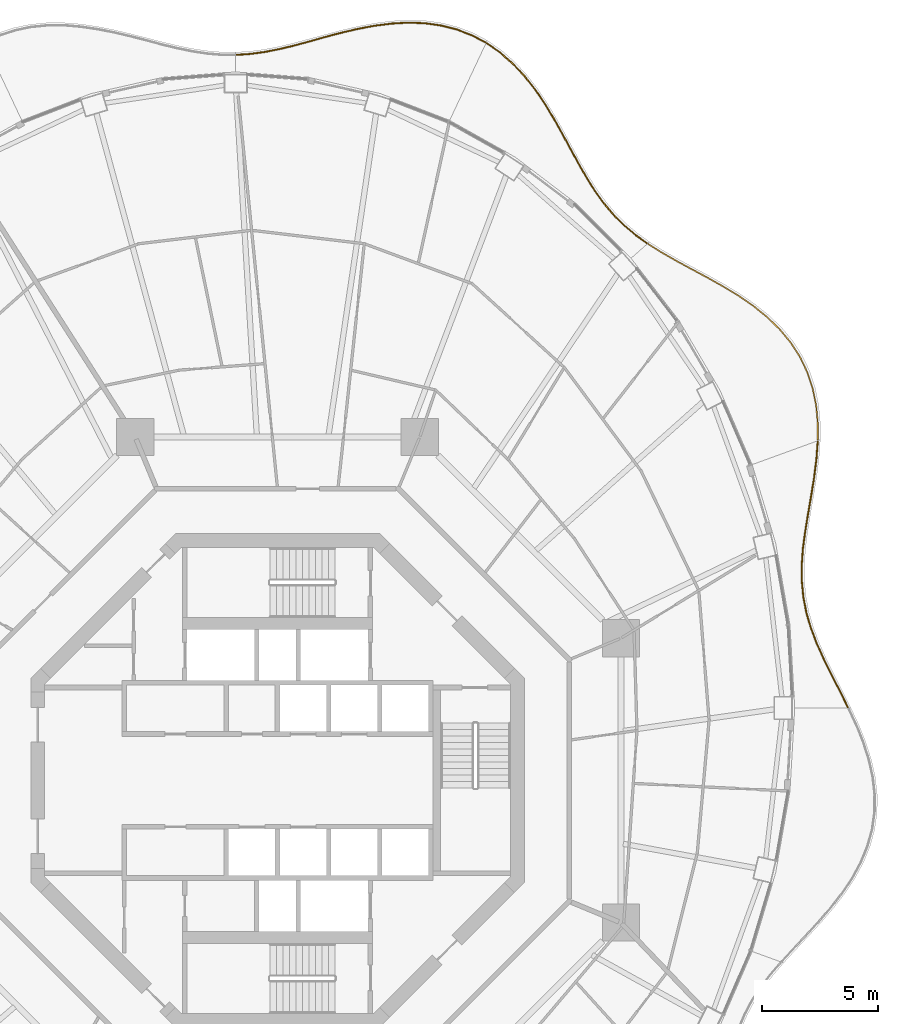
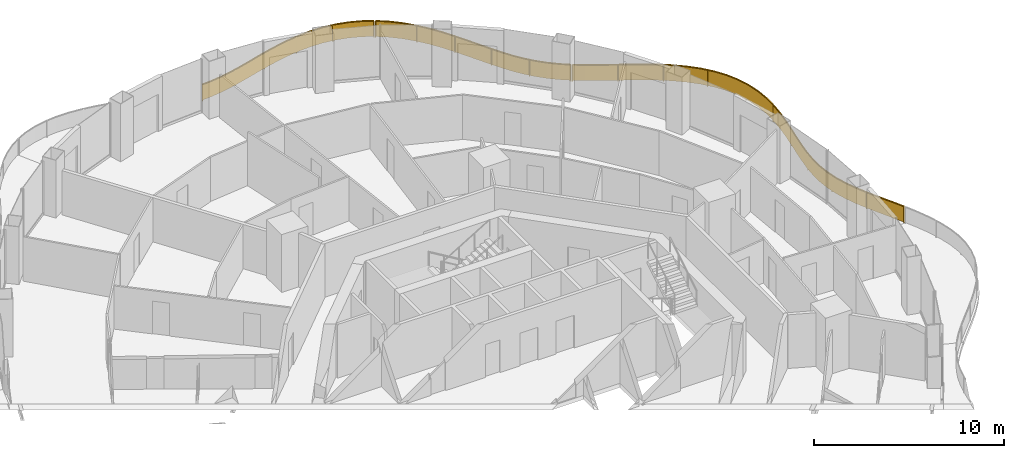
# One storey, part 18 of 18: 4 railings.
"""IFC4 building model written with IfcOpenShell, lengths in metres."""

from ifc_helpers import new_model, si_unit, direction, frame, origin, origin_2d, place, context, subcontext, project, spatial, polyline, rectangle, outline, extrude, material, type_object, element, save


model = new_model("IFC4")

# Units and contexts
model_context = context("Model", 3, precision=1e-05, world=origin(), true_north=direction((0.0, 1.0)))
body_context = subcontext(model_context, "Body", "Model", "MODEL_VIEW")
ifc_project = project(units=[si_unit("LENGTHUNIT", "METRE"), si_unit("AREAUNIT", "SQUARE_METRE"), si_unit("VOLUMEUNIT", "CUBIC_METRE"), si_unit("PLANEANGLEUNIT", "RADIAN"), si_unit("MASSUNIT", "GRAM", prefix="KILO")], contexts=[model_context])

# Site, building, storey
site_placement = place(None, origin())
site = spatial("IfcSite", under=ifc_project, at=site_placement, CompositionType="ELEMENT")
building_placement = place(site_placement, origin())
building = spatial("IfcBuilding", under=site, at=building_placement, Name="Nagisa Residences", CompositionType="ELEMENT")
storey_placement = place(building_placement, frame((0.0, 0.0, 223.300048828125)))
storey = spatial("IfcBuildingStorey", under=building, at=storey_placement, Name="L56", CompositionType="ELEMENT", Elevation=223.300048828125)

# Railings
ifc_material = material(Name="Stainless steel 316", Category="steel")
railing_type = type_object("IfcRailingType", Name="BALCONY GUARD 1100", PredefinedType="BALUSTRADE", material=ifc_material)
railing_1_placement = place(storey_placement, frame((24.560546875, 3.151611328125, 0.0)))
element("IfcRailing", 1, at=railing_1_placement, inside=storey, type_object=railing_type, Name="guard:L56:bal00-0", PredefinedType="BALUSTRADE", context=body_context, shape_type="SweptSolid", body=[
    extrude(outline(polyline([(-0.360595703125, 0.660888671875), (-0.0224609375, -0.01123046875), (0.0224609375, 0.01123046875), (-0.316162109375, 0.683349609375), (-0.672607421875, 1.381591796875), (-1.010986328125, 2.066650390625), (-1.314208984375, 2.741455078125), (-1.56884765625, 3.410400390625), (-1.762939453125, 4.064697265625), (-1.89453125, 4.738037109375), (-1.960693359375, 5.421142578125), (-1.96435546875, 6.119384765625), (-1.91357421875, 6.8359375), (-1.81640625, 7.55908203125), (-1.69384765625, 8.316162109375), (-1.56005859375, 9.091796875), (-1.43359375, 9.8818359375), (-1.3330078125, 10.680908203125), (-1.27734375, 11.43505859375), (-1.3271484375, 11.43896484375), (-1.3828125, 10.685791015625), (-1.48291015625, 9.88916015625), (-1.609375, 9.10009765625), (-1.7431640625, 8.324462890625), (-1.86572265625, 7.56640625), (-1.96337890625, 6.8408203125), (-2.0146484375, 6.120849609375), (-2.010498046875, 5.418701171875), (-1.9443359375, 4.730712890625), (-1.811767578125, 4.052978515625), (-1.6162109375, 3.394287109375), (-1.360595703125, 2.722412109375), (-1.056396484375, 2.045166015625), (-0.717529296875, 1.359130859375), (-0.360595703125, 0.660888671875)])), frame((0.0, 0.0, 1.050048828125)), (0.0, 0.0, 1.0), 0.050048828125),
    extrude(outline(polyline([(-0.3447265625, 0.6689453125), (-0.00634765625, -0.003173828125), (0.00634765625, 0.003173828125), (-0.33203125, 0.67529296875), (-0.688720703125, 1.37353515625), (-1.02734375, 2.058837890625), (-1.3310546875, 2.734619140625), (-1.5859375, 3.404541015625), (-1.780517578125, 4.060546875), (-1.91259765625, 4.7353515625), (-1.978515625, 5.420166015625), (-1.982421875, 6.119873046875), (-1.931396484375, 6.837646484375), (-1.834228515625, 7.561767578125), (-1.711669921875, 8.319091796875), (-1.577880859375, 9.0947265625), (-1.451416015625, 9.884521484375), (-1.350830078125, 10.6826171875), (-1.295166015625, 11.4365234375), (-1.309326171875, 11.4375), (-1.364990234375, 10.68408203125), (-1.465087890625, 9.886474609375), (-1.591552734375, 9.09716796875), (-1.725341796875, 8.321533203125), (-1.847900390625, 7.563720703125), (-1.945556640625, 6.839111328125), (-1.99658203125, 6.120361328125), (-1.99267578125, 5.419677734375), (-1.92626953125, 4.7333984375), (-1.794189453125, 4.05712890625), (-1.59912109375, 3.400146484375), (-1.34375, 2.729248046875), (-1.0400390625, 2.052978515625), (-0.701416015625, 1.3671875), (-0.3447265625, 0.6689453125)])), frame((0.0, 0.0, 0.06005859375)), (0.0, 0.0, 1.0), 0.989990234375),
    extrude(rectangle(XDim=0.0400390625, YDim=0.0400390625, at=origin_2d()), origin(), (0.0, 0.0, 1.0), 1.050048828125),
    extrude(rectangle(XDim=0.0400390625, YDim=0.0400390625, at=origin_2d()), frame((-1.06494140625, 2.125244140625, 0.0)), (0.0, 0.0, 1.0), 1.050048828125),
    extrude(rectangle(XDim=0.0400390625, YDim=0.0400390625, at=origin_2d()), frame((-1.846923828125, 4.36328125, 0.0)), (0.0, 0.0, 1.0), 1.050048828125),
    extrude(rectangle(XDim=0.0400390625, YDim=0.0400390625, at=origin_2d()), frame((-1.9462890625, 6.728759765625, 0.0)), (0.0, 0.0, 1.0), 1.050048828125),
    extrude(rectangle(XDim=0.0400390625, YDim=0.0400390625, at=origin_2d()), frame((-1.587646484375, 9.078369140625, 0.0)), (0.0, 0.0, 1.0), 1.050048828125),
    extrude(rectangle(XDim=0.0400390625, YDim=0.0400390625, at=origin_2d()), frame((-1.30224609375, 11.43701171875, 0.0)), (0.0, 0.0, 1.0), 1.050048828125),
])
railing_2_placement = place(storey_placement, frame((23.261962890625, 14.666015625, 0.0)))
element("IfcRailing", 2, at=railing_2_placement, inside=storey, type_object=railing_type, Name="guard:L56:bal01-0", PredefinedType="BALUSTRADE", context=body_context, shape_type="SweptSolid", body=[
    extrude(outline(polyline([(-0.02490234375, 0.720947265625), (-0.02490234375, 0.0), (0.02490234375, 0.0), (0.02490234375, 0.723388671875), (-0.045654296875, 1.47900390625), (-0.194580078125, 2.211669921875), (-0.426513671875, 2.91455078125), (-0.74365234375, 3.580322265625), (-1.137451171875, 4.19091796875), (-1.614501953125, 4.768798828125), (-2.15966796875, 5.300048828125), (-2.7607421875, 5.785888671875), (-3.40380859375, 6.23046875), (-4.06591796875, 6.627685546875), (-4.74755859375, 7.009765625), (-5.426025390625, 7.37451171875), (-6.088134765625, 7.732666015625), (-6.72216796875, 8.094970703125), (-7.2841796875, 8.44921875), (-7.31103515625, 8.40673828125), (-6.748046875, 8.052001953125), (-6.112548828125, 7.688720703125), (-5.449951171875, 7.33056640625), (-4.771484375, 6.9658203125), (-4.0908203125, 6.584228515625), (-3.43115234375, 6.1884765625), (-2.79052734375, 5.745849609375), (-2.19287109375, 5.262451171875), (-1.651611328125, 4.734619140625), (-1.177978515625, 4.1611328125), (-0.78759765625, 3.555908203125), (-0.472900390625, 2.89599609375), (-0.242919921875, 2.198974609375), (-0.095458984375, 1.4716796875), (-0.02490234375, 0.720947265625)])), frame((0.0, 0.0, 1.050048828125)), (0.0, 0.0, 1.0), 0.050048828125),
    extrude(outline(polyline([(-0.007080078125, 0.721923828125), (-0.007080078125, 0.0), (0.007080078125, 0.0), (0.007080078125, 0.722412109375), (-0.063720703125, 1.476318359375), (-0.2119140625, 2.20703125), (-0.443115234375, 2.907958984375), (-0.759521484375, 3.571533203125), (-1.152099609375, 4.18017578125), (-1.6279296875, 4.75634765625), (-2.171630859375, 5.286376953125), (-2.771484375, 5.771484375), (-3.41357421875, 6.21533203125), (-4.074951171875, 6.612060546875), (-4.756103515625, 6.993896484375), (-5.4345703125, 7.358642578125), (-6.096923828125, 7.716796875), (-6.7314453125, 8.07958984375), (-7.2939453125, 8.433837890625), (-7.30126953125, 8.422119140625), (-6.73876953125, 8.0673828125), (-6.103759765625, 7.70458984375), (-5.44140625, 7.346435546875), (-4.762939453125, 6.981689453125), (-4.081787109375, 6.599853515625), (-3.42138671875, 6.20361328125), (-2.77978515625, 5.76025390625), (-2.180908203125, 5.276123046875), (-1.63818359375, 4.7470703125), (-1.163330078125, 4.171875), (-0.771728515625, 3.564697265625), (-0.456298828125, 2.902587890625), (-0.2255859375, 2.20361328125), (-0.077392578125, 1.474365234375), (-0.007080078125, 0.721923828125)])), frame((0.0, 0.0, 0.06005859375)), (0.0, 0.0, 1.0), 0.989990234375),
    extrude(rectangle(XDim=0.0400390625, YDim=0.0400390625, at=origin_2d()), origin(), (0.0, 0.0, 1.0), 1.050048828125),
    extrude(rectangle(XDim=0.0400390625, YDim=0.0400390625, at=origin_2d()), frame((-0.2705078125, 2.362548828125, 0.0)), (0.0, 0.0, 1.0), 1.050048828125),
    extrude(rectangle(XDim=0.0400390625, YDim=0.0400390625, at=origin_2d()), frame((-1.386962890625, 4.45361328125, 0.0)), (0.0, 0.0, 1.0), 1.050048828125),
    extrude(rectangle(XDim=0.0400390625, YDim=0.0400390625, at=origin_2d()), frame((-3.164794921875, 6.03466796875, 0.0)), (0.0, 0.0, 1.0), 1.050048828125),
    extrude(rectangle(XDim=0.0400390625, YDim=0.0400390625, at=origin_2d()), frame((-5.2265625, 7.23876953125, 0.0)), (0.0, 0.0, 1.0), 1.050048828125),
    extrude(rectangle(XDim=0.0400390625, YDim=0.0400390625, at=origin_2d()), frame((-7.297607421875, 8.427978515625, 0.0)), (0.0, 0.0, 1.0), 1.050048828125),
])
railing_3_placement = place(storey_placement, frame((15.904052734375, 23.13232421875, 0.0)))
element("IfcRailing", 3, at=railing_3_placement, inside=storey, type_object=railing_type, Name="guard:L56:bal02-0", PredefinedType="BALUSTRADE", context=body_context, shape_type="SweptSolid", body=[
    extrude(outline(polyline([(-0.511962890625, 0.3388671875), (-0.0146484375, -0.020263671875), (0.0146484375, 0.020263671875), (-0.481201171875, 0.37841796875), (-0.970703125, 0.792236328125), (-1.42041015625, 1.2421875), (-1.833984375, 1.7314453125), (-2.217529296875, 2.260986328125), (-2.56591796875, 2.818603515625), (-2.9130859375, 3.421142578125), (-3.25634765625, 4.050537109375), (-3.6064453125, 4.697509765625), (-3.973388671875, 5.350341796875), (-4.353515625, 5.98828125), (-4.779541015625, 6.614013671875), (-5.24658203125, 7.2060546875), (-5.757568359375, 7.750732421875), (-6.313720703125, 8.23583984375), (-6.87451171875, 8.62451171875), (-6.90283203125, 8.58349609375), (-6.344482421875, 8.1962890625), (-5.792236328125, 7.714599609375), (-5.28466796875, 7.17333984375), (-4.820068359375, 6.584228515625), (-4.3955078125, 5.96142578125), (-4.016845703125, 5.325439453125), (-3.650390625, 4.673095703125), (-3.30029296875, 4.026611328125), (-2.95654296875, 3.396728515625), (-2.60888671875, 2.792724609375), (-2.259033203125, 2.233154296875), (-1.87353515625, 1.70068359375), (-1.45751953125, 1.20849609375), (-1.00439453125, 0.755615234375), (-0.511962890625, 0.3388671875)])), frame((0.0, 0.0, 1.050048828125)), (0.0, 0.0, 1.0), 0.050048828125),
    extrude(outline(polyline([(-0.5009765625, 0.35302734375), (-0.004150390625, -0.005615234375), (0.004150390625, 0.005615234375), (-0.4921875, 0.3642578125), (-0.98291015625, 0.779052734375), (-1.433837890625, 1.22998046875), (-1.84814453125, 1.720458984375), (-2.232421875, 2.2509765625), (-2.581298828125, 2.809326171875), (-2.9287109375, 3.412353515625), (-3.272216796875, 4.0419921875), (-3.622314453125, 4.688720703125), (-3.989013671875, 5.34130859375), (-4.36865234375, 5.978515625), (-4.794189453125, 6.603271484375), (-5.26025390625, 7.1943359375), (-5.77001953125, 7.73779296875), (-6.32470703125, 8.2216796875), (-6.884765625, 8.60986328125), (-6.892578125, 8.59814453125), (-6.33349609375, 8.21044921875), (-5.77978515625, 7.7275390625), (-5.27099609375, 7.18505859375), (-4.805419921875, 6.594970703125), (-4.38037109375, 5.97119140625), (-4.001220703125, 5.33447265625), (-3.634521484375, 4.681884765625), (-3.284423828125, 4.03515625), (-2.94091796875, 3.405517578125), (-2.593505859375, 2.802001953125), (-2.244140625, 2.2431640625), (-1.859375, 1.711669921875), (-1.444091796875, 1.220703125), (-0.9921875, 0.768798828125), (-0.5009765625, 0.35302734375)])), frame((0.0, 0.0, 0.06005859375)), (0.0, 0.0, 1.0), 0.989990234375),
    extrude(rectangle(XDim=0.0400390625, YDim=0.0400390625, at=origin_2d()), origin(), (0.0, 0.0, 1.0), 1.050048828125),
    extrude(rectangle(XDim=0.0400390625, YDim=0.0400390625, at=origin_2d()), frame((-1.656982421875, 1.483154296875, 0.0)), (0.0, 0.0, 1.0), 1.050048828125),
    extrude(rectangle(XDim=0.0400390625, YDim=0.0400390625, at=origin_2d()), frame((-2.89306640625, 3.336181640625, 0.0)), (0.0, 0.0, 1.0), 1.050048828125),
    extrude(rectangle(XDim=0.0400390625, YDim=0.0400390625, at=origin_2d()), frame((-3.968994140625, 5.291259765625, 0.0)), (0.0, 0.0, 1.0), 1.050048828125),
    extrude(rectangle(XDim=0.0400390625, YDim=0.0400390625, at=origin_2d()), frame((-5.2216796875, 7.134033203125, 0.0)), (0.0, 0.0, 1.0), 1.050048828125),
    extrude(rectangle(XDim=0.0400390625, YDim=0.0400390625, at=origin_2d()), frame((-6.888671875, 8.60400390625, 0.0)), (0.0, 0.0, 1.0), 1.050048828125),
])
railing_4_placement = place(storey_placement, frame((8.94921875, 31.77685546875, 0.0)))
element("IfcRailing", 4, at=railing_4_placement, inside=storey, type_object=railing_type, Name="guard:L56:bal03-0", PredefinedType="BALUSTRADE", context=body_context, shape_type="SweptSolid", body=[
    extrude(outline(polyline([(-0.5849609375, 0.281982421875), (-0.01171875, -0.022216796875), (0.01171875, 0.022216796875), (-0.56396484375, 0.327392578125), (-1.21826171875, 0.579345703125), (-1.901123046875, 0.75390625), (-2.6064453125, 0.852294921875), (-3.32666015625, 0.879638671875), (-4.037841796875, 0.837158203125), (-4.766845703125, 0.744873046875), (-5.490478515625, 0.609130859375), (-6.20361328125, 0.442626953125), (-6.90234375, 0.259033203125), (-7.567138671875, 0.0693359375), (-8.232177734375, -0.108154296875), (-8.881103515625, -0.263916015625), (-9.515869140625, -0.3876953125), (-10.14013671875, -0.47216796875), (-10.716552734375, -0.509521484375), (-10.713134765625, -0.559326171875), (-10.13525390625, -0.52197265625), (-9.507568359375, -0.43701171875), (-8.870361328125, -0.312744140625), (-8.219970703125, -0.156494140625), (-7.553955078125, 0.02099609375), (-6.88916015625, 0.210693359375), (-6.19140625, 0.394287109375), (-5.480224609375, 0.560302734375), (-4.759033203125, 0.695556640625), (-4.033447265625, 0.787353515625), (-3.326171875, 0.829345703125), (-2.61083984375, 0.802490234375), (-1.910888671875, 0.70458984375), (-1.2333984375, 0.531494140625), (-0.5849609375, 0.281982421875)])), frame((0.0, 0.0, 1.050048828125)), (0.0, 0.0, 1.0), 0.050048828125),
    extrude(outline(polyline([(-0.577392578125, 0.29833984375), (-0.003173828125, -0.006103515625), (0.003173828125, 0.006103515625), (-0.571533203125, 0.31103515625), (-1.2236328125, 0.56201171875), (-1.904541015625, 0.736083984375), (-2.60791015625, 0.83447265625), (-3.326416015625, 0.861572265625), (-4.036376953125, 0.8193359375), (-4.763916015625, 0.72705078125), (-5.48681640625, 0.591552734375), (-6.19921875, 0.42529296875), (-6.897705078125, 0.24169921875), (-7.5625, 0.052001953125), (-8.227783203125, -0.12548828125), (-8.877197265625, -0.281494140625), (-9.512939453125, -0.405517578125), (-10.138427734375, -0.489990234375), (-10.71533203125, -0.52734375), (-10.71435546875, -0.54150390625), (-10.136962890625, -0.504150390625), (-9.510498046875, -0.419189453125), (-8.874267578125, -0.295166015625), (-8.224365234375, -0.13916015625), (-7.55859375, 0.038330078125), (-6.893798828125, 0.22802734375), (-6.19580078125, 0.41162109375), (-5.48388671875, 0.577880859375), (-4.761962890625, 0.71337890625), (-4.034912109375, 0.80517578125), (-3.326416015625, 0.847412109375), (-2.609375, 0.8203125), (-1.907470703125, 0.722412109375), (-1.22802734375, 0.548828125), (-0.577392578125, 0.29833984375)])), frame((0.0, 0.0, 0.06005859375)), (0.0, 0.0, 1.0), 0.989990234375),
    extrude(rectangle(XDim=0.0400390625, YDim=0.0400390625, at=origin_2d()), origin(), (0.0, 0.0, 1.0), 1.050048828125),
    extrude(rectangle(XDim=0.0400390625, YDim=0.0400390625, at=origin_2d()), frame((-2.0576171875, 0.75048828125, 0.0)), (0.0, 0.0, 1.0), 1.050048828125),
    extrude(rectangle(XDim=0.0400390625, YDim=0.0400390625, at=origin_2d()), frame((-4.251953125, 0.784912109375, 0.0)), (0.0, 0.0, 1.0), 1.050048828125),
    extrude(rectangle(XDim=0.0400390625, YDim=0.0400390625, at=origin_2d()), frame((-6.412109375, 0.362060546875, 0.0)), (0.0, 0.0, 1.0), 1.050048828125),
    extrude(rectangle(XDim=0.0400390625, YDim=0.0400390625, at=origin_2d()), frame((-8.5400390625, -0.207763671875, 0.0)), (0.0, 0.0, 1.0), 1.050048828125),
    extrude(rectangle(XDim=0.0400390625, YDim=0.0400390625, at=origin_2d()), frame((-10.71484375, -0.534423828125, 0.0)), (0.0, 0.0, 1.0), 1.050048828125),
])

save(model, "model.ifc")
